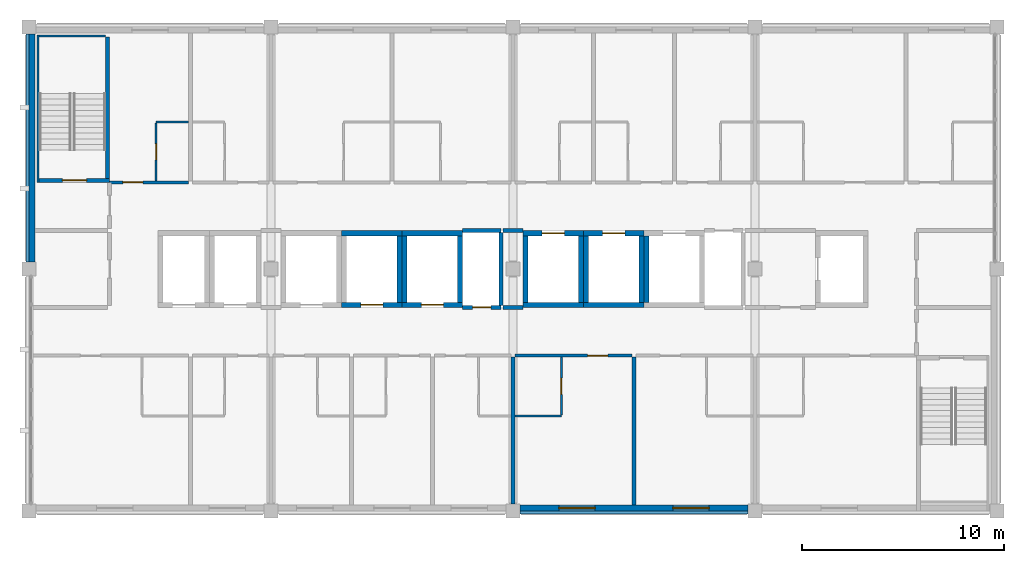
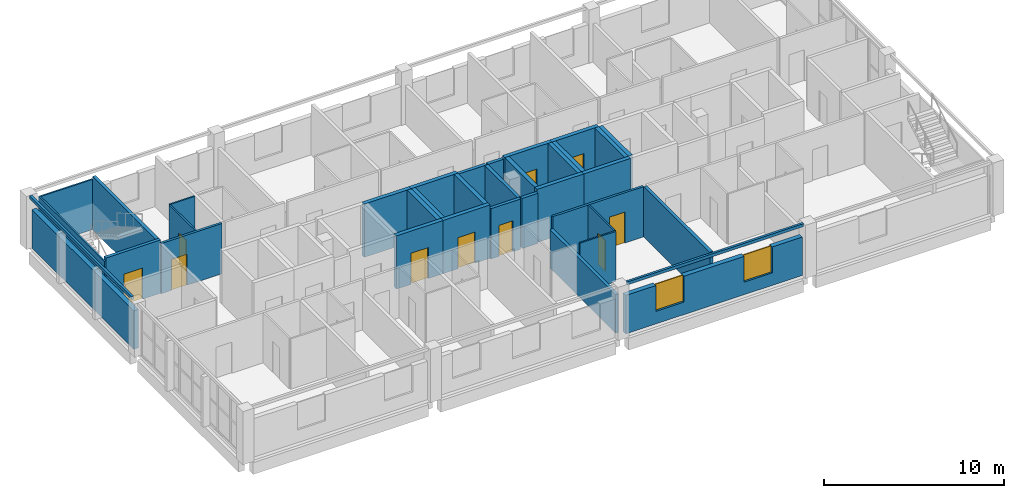
# One storey, part 7 of 11: 37 walls, 10 doors, 2 windows, 12 openings.
"""IFC4 building model written with IfcOpenShell, lengths in metres."""

from ifc_helpers import new_model, si_unit, direction, frame, frame_2d, origin, place, context, subcontext, project, spatial, rectangle, extrude, material, layer, layer_set, type_object, element, fill, save


model = new_model("IFC4")

# Units and contexts
model_context = context("Model", 3, precision=1e-05, world=origin(), true_north=direction((0.0, 1.0)))
body_context = subcontext(model_context, "Body", "Model", "MODEL_VIEW")
ifc_project = project(units=[si_unit("LENGTHUNIT", "METRE"), si_unit("AREAUNIT", "SQUARE_METRE"), si_unit("VOLUMEUNIT", "CUBIC_METRE"), si_unit("PLANEANGLEUNIT", "RADIAN"), si_unit("MASSUNIT", "GRAM", prefix="KILO")], contexts=[model_context])

# Site, building, storey
site_placement = place(None, origin())
site = spatial("IfcSite", under=ifc_project, at=site_placement, CompositionType="ELEMENT")
building_placement = place(site_placement, origin())
building = spatial("IfcBuilding", under=site, at=building_placement, Name="Lilac Gate Convention Centre", CompositionType="ELEMENT")
storey_placement = place(building_placement, frame((0.0, 0.0, 49.800048828125)))
storey = spatial("IfcBuildingStorey", under=building, at=storey_placement, Name="L12", CompositionType="ELEMENT", Elevation=49.800048828125)

# Walls
ifc_material_1 = material(Name="Concrete C50", Category="concrete")
ifc_layer_1 = layer(ifc_material_1, 0.10009765625)
ifc_layer_set_1 = layer_set([ifc_layer_1], Name="Concrete C50")
wall_type_1 = type_object("IfcWallType", Name="Core wall 100 C50", PredefinedType="SHEAR", material=ifc_layer_set_1)
wall_1_placement = place(storey_placement, frame((42.449951171875, 238.300048828125, 0.0), z_axis=(0.0, 0.0, 1.0), x_axis=(0.0, 1.0, 0.0)))
element("IfcWall", 1, at=wall_1_placement, inside=storey, type_object=wall_type_1, Name="CRW9 core wall TS-WX L12 1", PredefinedType="SHEAR", context=body_context, shape_type="SweptSolid", body=[
    extrude(rectangle(XDim=7.300048828125, YDim=0.10009765625, at=frame_2d((3.64990234375, 0.0))), origin(), (0.0, 0.0, 1.0), 3.39990234375),
])
wall_2_placement = place(storey_placement, frame((42.5, 245.550048828125, 0.0), z_axis=(0.0, 0.0, 1.0), x_axis=(1.0, 0.0, 0.0)))
element("IfcWall", 2, at=wall_2_placement, inside=storey, type_object=wall_type_1, Name="CRW9 core wall TS-WX L12 2", PredefinedType="SHEAR", context=body_context, shape_type="SweptSolid", body=[
    extrude(rectangle(XDim=3.300048828125, YDim=0.10009765625, at=frame_2d((1.64990234375, 0.0))), origin(), (0.0, 0.0, 1.0), 3.39990234375),
])

# Wall, opening, door
ifc_layer_2 = layer(ifc_material_1, 0.199951171875)
ifc_layer_set_2 = layer_set([ifc_layer_2], Name="Concrete C50")
wall_type_2 = type_object("IfcWallType", Name="Core wall 200 C50", PredefinedType="SHEAR", material=ifc_layer_set_2)
wall_3_placement = place(storey_placement, frame((42.5, 238.39990234375, 0.0), z_axis=(0.0, 0.0, 1.0), x_axis=(1.0, 0.0, 0.0)))
wall_3 = element("IfcWall", 3, at=wall_3_placement, inside=storey, type_object=wall_type_2, Name="CRW6 core wall TS-W L12 1", PredefinedType="SHEAR", context=body_context, shape_type="SweptSolid", body=[
    extrude(rectangle(XDim=3.5, YDim=0.199951171875, at=frame_2d((1.75, 0.0))), origin(), (0.0, 0.0, 1.0), 3.599853515625),
])
opening_1_placement = place(wall_3_placement, frame((1.14990234375, 0.0, 0.0)))
opening_1 = element("IfcOpeningElement", 4, at=opening_1_placement, cuts=wall_3, Name="Opening T10-051", PredefinedType="OPENING", context=body_context, shape_type="SweptSolid", body=[
    extrude(rectangle(XDim=1.199951171875, YDim=2.10009765625, at=frame_2d((0.60009765625, 1.050048828125))), frame((0.0, 0.10986328125, 0.0), z_axis=(0.0, -1.0, 0.0), x_axis=(1.0, 0.0, 0.0)), (0.0, 0.0, 1.0), 0.219970703125),
])
ifc_material_2 = material(Name="Steel Q235B", Category="steel")
door_type_1 = type_object("IfcDoorType", Name="Stair door 1200", OperationType="SINGLE_SWING_LEFT", PredefinedType="DOOR", material=ifc_material_2)
door_1_placement = place(opening_1_placement, origin())
door_1 = element("IfcDoor", 5, at=door_1_placement, inside=storey, type_object=door_type_1, Name="Stair door NW L12", OperationType="SINGLE_SWING_RIGHT", OverallHeight=2.10009765625, OverallWidth=1.199951171875, PredefinedType="DOOR", context=body_context, shape_type="SweptSolid", body=[
    extrude(rectangle(XDim=1.199951171875, YDim=2.10009765625, at=frame_2d((0.60009765625, 1.050048828125))), frame((0.0, 0.02490234375, 0.0), z_axis=(0.0, -1.0, 0.0), x_axis=(1.0, 0.0, 0.0)), (0.0, 0.0, 1.0), 0.050048828125),
])
fill(opening_1, door_1)

# Wall
wall_4_placement = place(storey_placement, frame((45.89990234375, 238.5, 0.0), z_axis=(0.0, 0.0, 1.0), x_axis=(0.0, 1.0, 0.0)))
element("IfcWall", 6, at=wall_4_placement, inside=storey, type_object=wall_type_2, Name="CRW6 core wall TS-W L12 2", PredefinedType="SHEAR", context=body_context, shape_type="SweptSolid", body=[
    extrude(rectangle(XDim=7.0, YDim=0.199951171875, at=frame_2d((3.5, 0.0))), origin(), (0.0, 0.0, 1.0), 3.599853515625),
])

# Wall, opening, door
ifc_layer_3 = layer(ifc_material_1, 0.25)
ifc_layer_set_3 = layer_set([ifc_layer_3], Name="Concrete C50")
wall_type_3 = type_object("IfcWallType", Name="Core wall 250 C50", PredefinedType="SHEAR", material=ifc_layer_set_3)
wall_5_placement = place(storey_placement, frame((57.5, 232.22509765625, 0.0), z_axis=(0.0, 0.0, 1.0), x_axis=(1.0, 0.0, 0.0)))
wall_5 = element("IfcWall", 7, at=wall_5_placement, inside=storey, type_object=wall_type_3, Name="CRW4 core wall TC L12 5", PredefinedType="SHEAR", context=body_context, shape_type="SweptSolid", body=[
    extrude(rectangle(XDim=3.0, YDim=0.25, at=frame_2d((1.5, 0.0))), origin(), (0.0, 0.0, 1.0), 3.599853515625),
])
opening_2_placement = place(wall_5_placement, frame((0.949951171875, 0.0, 0.0)))
opening_2 = element("IfcOpeningElement", 8, at=opening_2_placement, cuts=wall_5, Name="Opening T10-043", PredefinedType="OPENING", context=body_context, shape_type="SweptSolid", body=[
    extrude(rectangle(XDim=1.10009765625, YDim=2.10009765625, at=frame_2d((0.550048828125, 1.050048828125))), frame((0.0, 0.135009765625, 0.0), z_axis=(0.0, -1.0, 0.0), x_axis=(1.0, 0.0, 0.0)), (0.0, 0.0, 1.0), 0.27001953125),
])
ifc_material_3 = material(Name="Stainless steel 304", Category="steel")
door_type_2 = type_object("IfcDoorType", Name="Lift landing door 1100", OperationType="SLIDING_TO_LEFT", PredefinedType="DOOR", material=ifc_material_3)
door_2_placement = place(opening_2_placement, origin())
door_2 = element("IfcDoor", 9, at=door_2_placement, inside=storey, type_object=door_type_2, Name="Lift landing door TP2 L12", OperationType="SLIDING_TO_LEFT", OverallHeight=2.10009765625, OverallWidth=1.10009765625, PredefinedType="DOOR", context=body_context, shape_type="SweptSolid", body=[
    extrude(rectangle(XDim=1.10009765625, YDim=2.10009765625, at=frame_2d((0.550048828125, 1.050048828125))), frame((0.0, 0.02490234375, 0.0), z_axis=(0.0, -1.0, 0.0), x_axis=(1.0, 0.0, 0.0)), (0.0, 0.0, 1.0), 0.050048828125),
])
fill(opening_2, door_2)

# Walls
wall_6_placement = place(storey_placement, frame((57.5, 235.77490234375, 0.0), z_axis=(0.0, 0.0, 1.0), x_axis=(1.0, 0.0, 0.0)))
element("IfcWall", 10, at=wall_6_placement, inside=storey, type_object=wall_type_3, Name="CRW4 core wall TC L12 6", PredefinedType="SHEAR", context=body_context, shape_type="SweptSolid", body=[
    extrude(rectangle(XDim=3.0, YDim=0.25, at=frame_2d((1.5, 0.0))), origin(), (0.0, 0.0, 1.0), 3.599853515625),
])
wall_7_placement = place(storey_placement, frame((60.375, 232.35009765625, 0.0), z_axis=(0.0, 0.0, 1.0), x_axis=(0.0, 1.0, 0.0)))
element("IfcWall", 11, at=wall_7_placement, inside=storey, type_object=wall_type_3, Name="CRW4 core wall TC L12 8", PredefinedType="SHEAR", context=body_context, shape_type="SweptSolid", body=[
    extrude(rectangle(XDim=3.2998046875, YDim=0.25, at=frame_2d((1.64990234375, 0.0))), origin(), (0.0, 0.0, 1.0), 3.599853515625),
])

# Wall, opening, door
wall_8_placement = place(storey_placement, frame((60.5, 232.22509765625, 0.0), z_axis=(0.0, 0.0, 1.0), x_axis=(1.0, 0.0, 0.0)))
wall_8 = element("IfcWall", 12, at=wall_8_placement, inside=storey, type_object=wall_type_3, Name="CRW4 core wall TC L12 9", PredefinedType="SHEAR", context=body_context, shape_type="SweptSolid", body=[
    extrude(rectangle(XDim=3.0, YDim=0.25, at=frame_2d((1.5, 0.0))), origin(), (0.0, 0.0, 1.0), 3.599853515625),
])
opening_3_placement = place(wall_8_placement, frame((0.949951171875, 0.0, 0.0)))
opening_3 = element("IfcOpeningElement", 13, at=opening_3_placement, cuts=wall_8, Name="Opening T10-044", PredefinedType="OPENING", context=body_context, shape_type="SweptSolid", body=[
    extrude(rectangle(XDim=1.10009765625, YDim=2.10009765625, at=frame_2d((0.550048828125, 1.050048828125))), frame((0.0, 0.135009765625, 0.0), z_axis=(0.0, -1.0, 0.0), x_axis=(1.0, 0.0, 0.0)), (0.0, 0.0, 1.0), 0.27001953125),
])
door_3_placement = place(opening_3_placement, origin())
door_3 = element("IfcDoor", 14, at=door_3_placement, inside=storey, type_object=door_type_2, Name="Lift landing door TP3 L12", OperationType="SLIDING_TO_LEFT", OverallHeight=2.10009765625, OverallWidth=1.10009765625, PredefinedType="DOOR", context=body_context, shape_type="SweptSolid", body=[
    extrude(rectangle(XDim=1.10009765625, YDim=2.10009765625, at=frame_2d((0.550048828125, 1.050048828125))), frame((0.0, 0.02490234375, 0.0), z_axis=(0.0, -1.0, 0.0), x_axis=(1.0, 0.0, 0.0)), (0.0, 0.0, 1.0), 0.050048828125),
])
fill(opening_3, door_3)

# Walls
wall_9_placement = place(storey_placement, frame((60.5, 235.77490234375, 0.0), z_axis=(0.0, 0.0, 1.0), x_axis=(1.0, 0.0, 0.0)))
element("IfcWall", 15, at=wall_9_placement, inside=storey, type_object=wall_type_3, Name="CRW4 core wall TC L12 10", PredefinedType="SHEAR", context=body_context, shape_type="SweptSolid", body=[
    extrude(rectangle(XDim=3.0, YDim=0.25, at=frame_2d((1.5, 0.0))), origin(), (0.0, 0.0, 1.0), 3.599853515625),
])
for number, where, z_axis, x_axis, name in (
    (16, (60.625, 232.35009765625, 0.0), (0.0, 0.0, 1.0), (0.0, 1.0, 0.0), "CRW4 core wall TC L12 11"),
    (17, (63.375, 232.35009765625, 0.0), (0.0, 0.0, 1.0), (0.0, 1.0, 0.0), "CRW4 core wall TC L12 12"),
):
    element("IfcWall", number, at=place(storey_placement, frame(where, z_axis=z_axis, x_axis=x_axis)), inside=storey, type_object=wall_type_3, Name=name, PredefinedType="SHEAR", context=body_context, shape_type="SweptSolid", body=[
        extrude(rectangle(XDim=3.2998046875, YDim=0.25, at=frame_2d((1.64990234375, 0.0))), origin(), (0.0, 0.0, 1.0), 3.599853515625),
    ])
wall_10_placement = place(storey_placement, frame((66.5, 232.22509765625, 0.0), z_axis=(0.0, 0.0, 1.0), x_axis=(1.0, 0.0, 0.0)))
element("IfcWall", 18, at=wall_10_placement, inside=storey, type_object=wall_type_3, Name="CRW4 core wall TC L12 13", PredefinedType="SHEAR", context=body_context, shape_type="SweptSolid", body=[
    extrude(rectangle(XDim=3.0, YDim=0.25, at=frame_2d((1.5, 0.0))), origin(), (0.0, 0.0, 1.0), 3.599853515625),
])

# Wall, opening, door
wall_11_placement = place(storey_placement, frame((66.5, 235.77490234375, 0.0), z_axis=(0.0, 0.0, 1.0), x_axis=(1.0, 0.0, 0.0)))
wall_11 = element("IfcWall", 19, at=wall_11_placement, inside=storey, type_object=wall_type_3, Name="CRW4 core wall TC L12 14", PredefinedType="SHEAR", context=body_context, shape_type="SweptSolid", body=[
    extrude(rectangle(XDim=3.0, YDim=0.25, at=frame_2d((1.5, 0.0))), origin(), (0.0, 0.0, 1.0), 3.599853515625),
])
opening_4_placement = place(wall_11_placement, frame((0.949951171875, 0.0, 0.0)))
opening_4 = element("IfcOpeningElement", 20, at=opening_4_placement, cuts=wall_11, Name="Opening T10-045", PredefinedType="OPENING", context=body_context, shape_type="SweptSolid", body=[
    extrude(rectangle(XDim=1.10009765625, YDim=2.10009765625, at=frame_2d((0.550048828125, 1.050048828125))), frame((0.0, 0.135009765625, 0.0), z_axis=(0.0, -1.0, 0.0), x_axis=(1.0, 0.0, 0.0)), (0.0, 0.0, 1.0), 0.27001953125),
])
door_4_placement = place(opening_4_placement, origin())
door_4 = element("IfcDoor", 21, at=door_4_placement, inside=storey, type_object=door_type_2, Name="Lift landing door TP4 L12", OperationType="SLIDING_TO_LEFT", OverallHeight=2.10009765625, OverallWidth=1.10009765625, PredefinedType="DOOR", context=body_context, shape_type="SweptSolid", body=[
    extrude(rectangle(XDim=1.10009765625, YDim=2.10009765625, at=frame_2d((0.550048828125, 1.050048828125))), frame((0.0, 0.02490234375, 0.0), z_axis=(0.0, -1.0, 0.0), x_axis=(1.0, 0.0, 0.0)), (0.0, 0.0, 1.0), 0.050048828125),
])
fill(opening_4, door_4)

# Walls
for number, where, z_axis, x_axis, name in (
    (22, (66.625, 232.35009765625, 0.0), (0.0, 0.0, 1.0), (0.0, 1.0, 0.0), "CRW4 core wall TC L12 15"),
    (23, (69.375, 232.35009765625, 0.0), (0.0, 0.0, 1.0), (0.0, 1.0, 0.0), "CRW4 core wall TC L12 16"),
):
    element("IfcWall", number, at=place(storey_placement, frame(where, z_axis=z_axis, x_axis=x_axis)), inside=storey, type_object=wall_type_3, Name=name, PredefinedType="SHEAR", context=body_context, shape_type="SweptSolid", body=[
        extrude(rectangle(XDim=3.2998046875, YDim=0.25, at=frame_2d((1.64990234375, 0.0))), origin(), (0.0, 0.0, 1.0), 3.599853515625),
    ])
wall_12_placement = place(storey_placement, frame((69.5, 232.22509765625, 0.0), z_axis=(0.0, 0.0, 1.0), x_axis=(1.0, 0.0, 0.0)))
element("IfcWall", 24, at=wall_12_placement, inside=storey, type_object=wall_type_3, Name="CRW4 core wall TC L12 17", PredefinedType="SHEAR", context=body_context, shape_type="SweptSolid", body=[
    extrude(rectangle(XDim=3.0, YDim=0.25, at=frame_2d((1.5, 0.0))), origin(), (0.0, 0.0, 1.0), 3.599853515625),
])

# Wall, opening, door
wall_13_placement = place(storey_placement, frame((69.5, 235.77490234375, 0.0), z_axis=(0.0, 0.0, 1.0), x_axis=(1.0, 0.0, 0.0)))
wall_13 = element("IfcWall", 25, at=wall_13_placement, inside=storey, type_object=wall_type_3, Name="CRW4 core wall TC L12 18", PredefinedType="SHEAR", context=body_context, shape_type="SweptSolid", body=[
    extrude(rectangle(XDim=3.0, YDim=0.25, at=frame_2d((1.5, 0.0))), origin(), (0.0, 0.0, 1.0), 3.599853515625),
])
opening_5_placement = place(wall_13_placement, frame((0.949951171875, 0.0, 0.0)))
opening_5 = element("IfcOpeningElement", 26, at=opening_5_placement, cuts=wall_13, Name="Opening T10-046", PredefinedType="OPENING", context=body_context, shape_type="SweptSolid", body=[
    extrude(rectangle(XDim=1.10009765625, YDim=2.10009765625, at=frame_2d((0.550048828125, 1.050048828125))), frame((0.0, 0.135009765625, 0.0), z_axis=(0.0, -1.0, 0.0), x_axis=(1.0, 0.0, 0.0)), (0.0, 0.0, 1.0), 0.27001953125),
])
door_5_placement = place(opening_5_placement, origin())
door_5 = element("IfcDoor", 27, at=door_5_placement, inside=storey, type_object=door_type_2, Name="Lift landing door TP5 L12", OperationType="SLIDING_TO_LEFT", OverallHeight=2.10009765625, OverallWidth=1.10009765625, PredefinedType="DOOR", context=body_context, shape_type="SweptSolid", body=[
    extrude(rectangle(XDim=1.10009765625, YDim=2.10009765625, at=frame_2d((0.550048828125, 1.050048828125))), frame((0.0, 0.02490234375, 0.0), z_axis=(0.0, -1.0, 0.0), x_axis=(1.0, 0.0, 0.0)), (0.0, 0.0, 1.0), 0.050048828125),
])
fill(opening_5, door_5)

# Walls
for number, where, z_axis, x_axis, name in (
    (28, (69.625, 232.35009765625, 0.0), (0.0, 0.0, 1.0), (0.0, 1.0, 0.0), "CRW4 core wall TC L12 19"),
    (29, (72.375, 232.35009765625, 0.0), (0.0, 0.0, 1.0), (0.0, 1.0, 0.0), "CRW4 core wall TC L12 20"),
    (30, (72.625, 232.35009765625, 0.0), (0.0, 0.0, 1.0), (0.0, 1.0, 0.0), "CRW4 core wall TC L12 23"),
):
    element("IfcWall", number, at=place(storey_placement, frame(where, z_axis=z_axis, x_axis=x_axis)), inside=storey, type_object=wall_type_3, Name=name, PredefinedType="SHEAR", context=body_context, shape_type="SweptSolid", body=[
        extrude(rectangle(XDim=3.2998046875, YDim=0.25, at=frame_2d((1.64990234375, 0.0))), origin(), (0.0, 0.0, 1.0), 3.599853515625),
    ])

# Wall, opening, door
ifc_material_4 = material(Name="Gypsum board on steel stud", Category="steel")
ifc_layer_4 = layer(ifc_material_4, 0.14990234375)
ifc_layer_set_4 = layer_set([ifc_layer_4], Name="Gypsum board on steel stud")
wall_type_4 = type_object("IfcWallType", Name="Corridor wall 150", PredefinedType="PARTITIONING", material=ifc_layer_set_4)
wall_14_placement = place(storey_placement, frame((71.89990234375, 229.699951171875, 0.0), z_axis=(0.0, 0.0, 1.0), x_axis=(-1.0, 0.0, 0.0)))
wall_14 = element("IfcWall", 31, at=wall_14_placement, inside=storey, type_object=wall_type_4, Name="Corridor wall 150 front 1206", PredefinedType="PARTITIONING", context=body_context, shape_type="SweptSolid", body=[
    extrude(rectangle(XDim=5.7998046875, YDim=0.14990234375, at=frame_2d((2.89990234375, 0.0))), origin(), (0.0, 0.0, 1.0), 3.39990234375),
])
opening_6_placement = place(wall_14_placement, frame((1.199951171875, 0.0, 0.0)))
opening_6 = element("IfcOpeningElement", 32, at=opening_6_placement, cuts=wall_14, Name="Opening T10-018", PredefinedType="OPENING", context=body_context, shape_type="SweptSolid", body=[
    extrude(rectangle(XDim=1.0, YDim=2.10009765625, at=frame_2d((0.5, 1.050048828125))), frame((0.0, 0.0849609375, 0.0), z_axis=(0.0, -1.0, 0.0), x_axis=(1.0, 0.0, 0.0)), (0.0, 0.0, 1.0), 0.169921875),
])
ifc_material_5 = material(Name="Timber", Category="wood")
door_type_3 = type_object("IfcDoorType", Name="Guest room entrance door 1000", OperationType="SINGLE_SWING_LEFT", PredefinedType="DOOR", material=ifc_material_5)
door_6_placement = place(opening_6_placement, origin())
door_6 = element("IfcDoor", 33, at=door_6_placement, inside=storey, type_object=door_type_3, Name="Guest room door 1206", OperationType="SINGLE_SWING_LEFT", OverallHeight=2.10009765625, OverallWidth=1.0, PredefinedType="DOOR", context=body_context, shape_type="SweptSolid", body=[
    extrude(rectangle(XDim=1.0, YDim=2.10009765625, at=frame_2d((0.5, 1.050048828125))), frame((0.0, 0.02490234375, 0.0), z_axis=(0.0, -1.0, 0.0), x_axis=(1.0, 0.0, 0.0)), (0.0, 0.0, 1.0), 0.050048828125),
])
fill(opening_6, door_6)

wall_15_placement = place(storey_placement, frame((46.0, 238.300048828125, 0.0), z_axis=(0.0, 0.0, 1.0), x_axis=(1.0, 0.0, 0.0)))
wall_15 = element("IfcWall", 34, at=wall_15_placement, inside=storey, type_object=wall_type_4, Name="Corridor wall 150 front 1209", PredefinedType="PARTITIONING", context=body_context, shape_type="SweptSolid", body=[
    extrude(rectangle(XDim=3.89990234375, YDim=0.14990234375, at=frame_2d((1.949951171875, 0.0))), origin(), (0.0, 0.0, 1.0), 3.39990234375),
])
opening_7_placement = place(wall_15_placement, frame((0.64990234375, 0.0, 0.0)))
opening_7 = element("IfcOpeningElement", 35, at=opening_7_placement, cuts=wall_15, Name="Opening T10-024", PredefinedType="OPENING", context=body_context, shape_type="SweptSolid", body=[
    extrude(rectangle(XDim=1.0, YDim=2.10009765625, at=frame_2d((0.5, 1.050048828125))), frame((0.0, 0.0849609375, 0.0), z_axis=(0.0, -1.0, 0.0), x_axis=(1.0, 0.0, 0.0)), (0.0, 0.0, 1.0), 0.169921875),
])
door_7_placement = place(opening_7_placement, origin())
door_7 = element("IfcDoor", 36, at=door_7_placement, inside=storey, type_object=door_type_3, Name="Guest room door 1209", OperationType="SINGLE_SWING_LEFT", OverallHeight=2.10009765625, OverallWidth=1.0, PredefinedType="DOOR", context=body_context, shape_type="SweptSolid", body=[
    extrude(rectangle(XDim=1.0, YDim=2.10009765625, at=frame_2d((0.5, 1.050048828125))), frame((0.0, 0.02490234375, 0.0), z_axis=(0.0, -1.0, 0.0), x_axis=(1.0, 0.0, 0.0)), (0.0, 0.0, 1.0), 0.050048828125),
])
fill(opening_7, door_7)

# Wall
ifc_layer_5 = layer(ifc_material_4, 0.10009765625)
ifc_layer_set_5 = layer_set([ifc_layer_5], Name="Gypsum board on steel stud")
wall_type_5 = type_object("IfcWallType", Name="En-suite wall 100", PredefinedType="PARTITIONING", material=ifc_layer_set_5)
wall_16_placement = place(storey_placement, frame((66.10009765625, 226.699951171875, 0.0), z_axis=(0.0, 0.0, 1.0), x_axis=(1.0, 0.0, 0.0)))
element("IfcWall", 37, at=wall_16_placement, inside=storey, type_object=wall_type_5, Name="En-suite wall 100 bath 1206", PredefinedType="PARTITIONING", context=body_context, shape_type="SweptSolid", body=[
    extrude(rectangle(XDim=2.2998046875, YDim=0.10009765625, at=frame_2d((1.14990234375, 0.0))), origin(), (0.0, 0.0, 1.0), 3.39990234375),
])

# Wall, opening, door
wall_17_placement = place(storey_placement, frame((68.39990234375, 229.625, 0.0), z_axis=(0.0, 0.0, 1.0), x_axis=(0.0, -1.0, 0.0)))
wall_17 = element("IfcWall", 38, at=wall_17_placement, inside=storey, type_object=wall_type_5, Name="En-suite wall 100 bath side 1206", PredefinedType="PARTITIONING", context=body_context, shape_type="SweptSolid", body=[
    extrude(rectangle(XDim=2.875, YDim=0.10009765625, at=frame_2d((1.4375, 0.0))), origin(), (0.0, 0.0, 1.0), 3.39990234375),
])
opening_8_placement = place(wall_17_placement, frame((1.03759765625, 0.0, 0.0)))
opening_8 = element("IfcOpeningElement", 39, at=opening_8_placement, cuts=wall_17, Name="Opening T10-019", PredefinedType="OPENING", context=body_context, shape_type="SweptSolid", body=[
    extrude(rectangle(XDim=0.800048828125, YDim=2.10009765625, at=frame_2d((0.39990234375, 1.050048828125))), frame((0.0, 0.06005859375, 0.0), z_axis=(0.0, -1.0, 0.0), x_axis=(1.0, 0.0, 0.0)), (0.0, 0.0, 1.0), 0.1201171875),
])
door_type_4 = type_object("IfcDoorType", Name="En-suite door 800", OperationType="SINGLE_SWING_LEFT", PredefinedType="DOOR", material=ifc_material_5)
door_8_placement = place(opening_8_placement, origin())
door_8 = element("IfcDoor", 40, at=door_8_placement, inside=storey, type_object=door_type_4, Name="En-suite door 1206", OperationType="SINGLE_SWING_LEFT", OverallHeight=2.10009765625, OverallWidth=0.800048828125, PredefinedType="DOOR", context=body_context, shape_type="SweptSolid", body=[
    extrude(rectangle(XDim=0.800048828125, YDim=2.10009765625, at=frame_2d((0.39990234375, 1.050048828125))), frame((0.0, 0.02490234375, 0.0), z_axis=(0.0, -1.0, 0.0), x_axis=(1.0, 0.0, 0.0)), (0.0, 0.0, 1.0), 0.050048828125),
])
fill(opening_8, door_8)

# Wall
wall_18_placement = place(storey_placement, frame((48.300048828125, 241.300048828125, 0.0), z_axis=(0.0, 0.0, 1.0), x_axis=(1.0, 0.0, 0.0)))
element("IfcWall", 41, at=wall_18_placement, inside=storey, type_object=wall_type_5, Name="En-suite wall 100 bath 1209", PredefinedType="PARTITIONING", context=body_context, shape_type="SweptSolid", body=[
    extrude(rectangle(XDim=1.599853515625, YDim=0.10009765625, at=frame_2d((0.7998046875, 0.0))), origin(), (0.0, 0.0, 1.0), 3.39990234375),
])

# Wall, opening, door
wall_19_placement = place(storey_placement, frame((48.300048828125, 238.375, 0.0), z_axis=(0.0, 0.0, 1.0), x_axis=(0.0, 1.0, 0.0)))
wall_19 = element("IfcWall", 42, at=wall_19_placement, inside=storey, type_object=wall_type_5, Name="En-suite wall 100 bath side 1209", PredefinedType="PARTITIONING", context=body_context, shape_type="SweptSolid", body=[
    extrude(rectangle(XDim=2.875, YDim=0.10009765625, at=frame_2d((1.4375, 0.0))), origin(), (0.0, 0.0, 1.0), 3.39990234375),
])
opening_9_placement = place(wall_19_placement, frame((1.03759765625, 0.0, 0.0)))
opening_9 = element("IfcOpeningElement", 43, at=opening_9_placement, cuts=wall_19, Name="Opening T10-025", PredefinedType="OPENING", context=body_context, shape_type="SweptSolid", body=[
    extrude(rectangle(XDim=0.800048828125, YDim=2.10009765625, at=frame_2d((0.39990234375, 1.050048828125))), frame((0.0, 0.06005859375, 0.0), z_axis=(0.0, -1.0, 0.0), x_axis=(1.0, 0.0, 0.0)), (0.0, 0.0, 1.0), 0.1201171875),
])
door_9_placement = place(opening_9_placement, origin())
door_9 = element("IfcDoor", 44, at=door_9_placement, inside=storey, type_object=door_type_4, Name="En-suite door 1209", OperationType="SINGLE_SWING_LEFT", OverallHeight=2.10009765625, OverallWidth=0.800048828125, PredefinedType="DOOR", context=body_context, shape_type="SweptSolid", body=[
    extrude(rectangle(XDim=0.800048828125, YDim=2.10009765625, at=frame_2d((0.39990234375, 1.050048828125))), frame((0.0, 0.02490234375, 0.0), z_axis=(0.0, -1.0, 0.0), x_axis=(1.0, 0.0, 0.0)), (0.0, 0.0, 1.0), 0.050048828125),
])
fill(opening_9, door_9)

# Walls
ifc_layer_6 = layer(ifc_material_4, 0.199951171875)
ifc_layer_set_6 = layer_set([ifc_layer_6], Name="Gypsum board on steel stud")
wall_type_6 = type_object("IfcWallType", Name="Guest room party wall 200", PredefinedType="PARTITIONING", material=ifc_layer_set_6)
wall_20_placement = place(storey_placement, frame((66.0, 222.35009765625, 0.0), z_axis=(0.0, 0.0, 1.0), x_axis=(0.0, 1.0, 0.0)))
element("IfcWall", 45, at=wall_20_placement, inside=storey, type_object=wall_type_6, Name="Guest room party wall 200 party 66.0", PredefinedType="PARTITIONING", context=body_context, shape_type="SweptSolid", body=[
    extrude(rectangle(XDim=7.27490234375, YDim=0.199951171875, at=frame_2d((3.637451171875, 0.0))), origin(), (0.0, 0.0, 1.0), 2.599853515625),
])
wall_21_placement = place(storey_placement, frame((72.0, 222.2998046875, 0.0), z_axis=(0.0, 0.0, 1.0), x_axis=(0.0, 1.0, 0.0)))
element("IfcWall", 46, at=wall_21_placement, inside=storey, type_object=wall_type_6, Name="Guest room party wall 200 party 72.0", PredefinedType="PARTITIONING", context=body_context, shape_type="SweptSolid", body=[
    extrude(rectangle(XDim=7.3251953125, YDim=0.199951171875, at=frame_2d((3.66259765625, 0.0))), origin(), (0.0, 0.0, 1.0), 3.39990234375),
])
ifc_material_6 = material(Name="Concrete C40 precast", Category="concrete")
ifc_layer_7 = layer(ifc_material_6, 0.1298828125)
ifc_material_7 = material(Name="Teal glazed cladding")
ifc_layer_8 = layer(ifc_material_7, 0.02001953125)
ifc_layer_set_7 = layer_set([ifc_layer_7, ifc_layer_8], Name="Concrete C40 precast, Teal glazed cladding")
wall_type_7 = type_object("IfcWallType", Name="Precast band teal 150", PredefinedType="STANDARD", material=ifc_layer_set_7)
for number, where, z_axis, x_axis, name in (
    (47, (66.35009765625, 221.925048828125, 3.39990234375), (0.0, 0.0, 1.0), (1.0, 0.0, 0.0), "Precast band S L12 3"),
    (48, (41.925048828125, 245.64990234375, 3.39990234375), (0.0, 0.0, 1.0), (0.0, -1.0, 0.0), "Precast band W L12 1"),
):
    element("IfcWall", number, at=place(storey_placement, frame(where, z_axis=z_axis, x_axis=x_axis)), inside=storey, type_object=wall_type_7, Name=name, PredefinedType="STANDARD", context=body_context, shape_type="SweptSolid", body=[
        extrude(rectangle(XDim=11.2998046875, YDim=0.14990234375, at=frame_2d((5.64990234375, 0.0))), origin(), (0.0, 0.0, 1.0), 0.199951171875),
    ])

# Wall, openings, windows
ifc_material_8 = material(Name="Ochre mineral render")
ifc_layer_9 = layer(ifc_material_8, 0.02001953125)
ifc_layer_10 = layer(ifc_material_6, 0.06005859375)
ifc_material_9 = material(Name="Ventilated air cavity")
ifc_layer_11 = layer(ifc_material_9, 0.030029296875)
ifc_material_10 = material(Name="Mineral wool insulation")
ifc_layer_12 = layer(ifc_material_10, 0.1201171875)
ifc_material_11 = material(Name="Steel stud Q345 and gypsum lining", Category="steel")
ifc_layer_13 = layer(ifc_material_11, 0.070068359375)
ifc_layer_set_8 = layer_set([ifc_layer_9, ifc_layer_10, ifc_layer_11, ifc_layer_12, ifc_layer_13], Name="Ochre mineral render, Concrete C40 precast, Ventilated air cavity, Mineral wool insulation, Steel stud Q345 and gypsum lining")
wall_type_8 = type_object("IfcWallType", Name="Precast panel wall ochre 300", PredefinedType="STANDARD", material=ifc_layer_set_8)
wall_22_placement = place(storey_placement, frame((66.35009765625, 222.14990234375, 0.0), z_axis=(0.0, 0.0, 1.0), x_axis=(1.0, 0.0, 0.0)))
wall_22 = element("IfcWall", 49, at=wall_22_placement, inside=storey, type_object=wall_type_8, Name="External wall S L12 3", PredefinedType="STANDARD", context=body_context, shape_type="SweptSolid", body=[
    extrude(rectangle(XDim=11.2998046875, YDim=0.300048828125, at=frame_2d((5.64990234375, 0.0))), origin(), (0.0, 0.0, 1.0), 2.599853515625),
])
opening_10_placement = place(wall_22_placement, frame((1.925048828125, 0.0, 0.85009765625)))
opening_10 = element("IfcOpeningElement", 50, at=opening_10_placement, cuts=wall_22, Name="Opening W1", PredefinedType="OPENING", context=body_context, shape_type="SweptSolid", body=[
    extrude(rectangle(XDim=1.800048828125, YDim=1.75, at=frame_2d((0.89990234375, 0.875))), frame((0.0, 0.159912109375, 0.0), z_axis=(0.0, -1.0, 0.0), x_axis=(1.0, 0.0, 0.0)), (0.0, 0.0, 1.0), 0.320068359375),
])
opening_11_placement = place(wall_22_placement, frame((7.574951171875, 0.0, 0.85009765625)))
opening_11 = element("IfcOpeningElement", 51, at=opening_11_placement, cuts=wall_22, Name="Opening W1", PredefinedType="OPENING", context=body_context, shape_type="SweptSolid", body=[
    extrude(rectangle(XDim=1.800048828125, YDim=1.75, at=frame_2d((0.89990234375, 0.875))), frame((0.0, 0.159912109375, 0.0), z_axis=(0.0, -1.0, 0.0), x_axis=(1.0, 0.0, 0.0)), (0.0, 0.0, 1.0), 0.320068359375),
])
ifc_material_12 = material(Name="Aluminium framed double glazing", Category="aluminium")
window_type = type_object("IfcWindowType", Name="Guest room window 1800 x 1750", PartitioningType="DOUBLE_PANEL_VERTICAL", PredefinedType="WINDOW", material=ifc_material_12)
window_1_placement = place(opening_10_placement, origin())
window_1 = element("IfcWindow", 52, at=window_1_placement, inside=storey, type_object=window_type, Name="Window Guest S L12", OverallHeight=1.75, OverallWidth=1.800048828125, PartitioningType="SINGLE_PANEL", PredefinedType="WINDOW", context=body_context, shape_type="SweptSolid", body=[
    extrude(rectangle(XDim=1.800048828125, YDim=1.75, at=frame_2d((0.89990234375, 0.875))), frame((0.0, 0.030029296875, 0.0), z_axis=(0.0, -1.0, 0.0), x_axis=(1.0, 0.0, 0.0)), (0.0, 0.0, 1.0), 0.06005859375),
])
fill(opening_10, window_1)
window_2_placement = place(opening_11_placement, origin())
window_2 = element("IfcWindow", 53, at=window_2_placement, inside=storey, type_object=window_type, Name="Window Guest S L12", OverallHeight=1.75, OverallWidth=1.800048828125, PartitioningType="SINGLE_PANEL", PredefinedType="WINDOW", context=body_context, shape_type="SweptSolid", body=[
    extrude(rectangle(XDim=1.800048828125, YDim=1.75, at=frame_2d((0.89990234375, 0.875))), frame((0.0, 0.030029296875, 0.0), z_axis=(0.0, -1.0, 0.0), x_axis=(1.0, 0.0, 0.0)), (0.0, 0.0, 1.0), 0.06005859375),
])
fill(opening_11, window_2)

# Wall
wall_23_placement = place(storey_placement, frame((42.14990234375, 245.64990234375, 0.0), z_axis=(0.0, 0.0, 1.0), x_axis=(0.0, -1.0, 0.0)))
element("IfcWall", 54, at=wall_23_placement, inside=storey, type_object=wall_type_8, Name="External wall W L12 1", PredefinedType="STANDARD", context=body_context, shape_type="SweptSolid", body=[
    extrude(rectangle(XDim=11.2998046875, YDim=0.300048828125, at=frame_2d((5.64990234375, 0.0))), origin(), (0.0, 0.0, 1.0), 2.599853515625),
])

# Wall, opening, door
ifc_layer_14 = layer(ifc_material_4, 0.199951171875)
ifc_layer_set_9 = layer_set([ifc_layer_14], Name="Gypsum board on steel stud")
wall_type_9 = type_object("IfcWallType", Name="Riser and store wall 200", PredefinedType="PARTITIONING", material=ifc_layer_set_9)
wall_24_placement = place(storey_placement, frame((63.5, 232.10009765625, 0.0), z_axis=(0.0, 0.0, 1.0), x_axis=(1.0, 0.0, 0.0)))
wall_24 = element("IfcWall", 55, at=wall_24_placement, inside=storey, type_object=wall_type_9, Name="Riser and store wall 200 RS1-S", PredefinedType="PARTITIONING", context=body_context, shape_type="SweptSolid", body=[
    extrude(rectangle(XDim=1.89990234375, YDim=0.199951171875, at=frame_2d((0.949951171875, 0.0))), origin(), (0.0, 0.0, 1.0), 3.39990234375),
])
opening_12_placement = place(wall_24_placement, frame((0.5, 0.0, 0.0)))
opening_12 = element("IfcOpeningElement", 56, at=opening_12_placement, cuts=wall_24, Name="Opening T10-002", PredefinedType="OPENING", context=body_context, shape_type="SweptSolid", body=[
    extrude(rectangle(XDim=0.89990234375, YDim=2.10009765625, at=frame_2d((0.449951171875, 1.050048828125))), frame((0.0, 0.10986328125, 0.0), z_axis=(0.0, -1.0, 0.0), x_axis=(1.0, 0.0, 0.0)), (0.0, 0.0, 1.0), 0.219970703125),
])
door_type_5 = type_object("IfcDoorType", Name="Riser and store door 900", OperationType="SINGLE_SWING_LEFT", PredefinedType="DOOR", material=ifc_material_2)
door_10_placement = place(opening_12_placement, origin())
door_10 = element("IfcDoor", 57, at=door_10_placement, inside=storey, type_object=door_type_5, Name="Riser room door", OperationType="SINGLE_SWING_RIGHT", OverallHeight=2.10009765625, OverallWidth=0.89990234375, PredefinedType="DOOR", context=body_context, shape_type="SweptSolid", body=[
    extrude(rectangle(XDim=0.89990234375, YDim=2.10009765625, at=frame_2d((0.449951171875, 1.050048828125))), frame((0.0, 0.02490234375, 0.0), z_axis=(0.0, -1.0, 0.0), x_axis=(1.0, 0.0, 0.0)), (0.0, 0.0, 1.0), 0.050048828125),
])
fill(opening_12, door_10)

# Walls
wall_25_placement = place(storey_placement, frame((65.5, 232.10009765625, 0.0), z_axis=(0.0, 0.0, 1.0), x_axis=(1.0, 0.0, 0.0)))
element("IfcWall", 58, at=wall_25_placement, inside=storey, type_object=wall_type_9, Name="Riser and store wall 200 NICHE2-S", PredefinedType="PARTITIONING", context=body_context, shape_type="SweptSolid", body=[
    extrude(rectangle(XDim=1.0, YDim=0.199951171875, at=frame_2d((0.5, 0.0))), origin(), (0.0, 0.0, 1.0), 3.39990234375),
])
wall_26_placement = place(storey_placement, frame((63.5, 235.89990234375, 0.0), z_axis=(0.0, 0.0, 1.0), x_axis=(1.0, 0.0, 0.0)))
element("IfcWall", 59, at=wall_26_placement, inside=storey, type_object=wall_type_9, Name="Riser and store wall 200 RS1-N", PredefinedType="PARTITIONING", context=body_context, shape_type="SweptSolid", body=[
    extrude(rectangle(XDim=1.89990234375, YDim=0.199951171875, at=frame_2d((0.949951171875, 0.0))), origin(), (0.0, 0.0, 1.0), 3.39990234375),
])
wall_27_placement = place(storey_placement, frame((65.5, 235.89990234375, 0.0), z_axis=(0.0, 0.0, 1.0), x_axis=(1.0, 0.0, 0.0)))
element("IfcWall", 60, at=wall_27_placement, inside=storey, type_object=wall_type_9, Name="Riser and store wall 200 NICHE2-N", PredefinedType="PARTITIONING", context=body_context, shape_type="SweptSolid", body=[
    extrude(rectangle(XDim=1.0, YDim=0.199951171875, at=frame_2d((0.5, 0.0))), origin(), (0.0, 0.0, 1.0), 3.39990234375),
])
wall_28_placement = place(storey_placement, frame((65.39990234375, 232.199951171875, 0.0), z_axis=(0.0, 0.0, 1.0), x_axis=(0.0, 1.0, 0.0)))
element("IfcWall", 61, at=wall_28_placement, inside=storey, type_object=wall_type_9, Name="Riser and store wall 200 RS1-E", PredefinedType="PARTITIONING", context=body_context, shape_type="SweptSolid", body=[
    extrude(rectangle(XDim=3.60009765625, YDim=0.199951171875, at=frame_2d((1.800048828125, 0.0))), origin(), (0.0, 0.0, 1.0), 3.39990234375),
])

save(model, "model.ifc")
